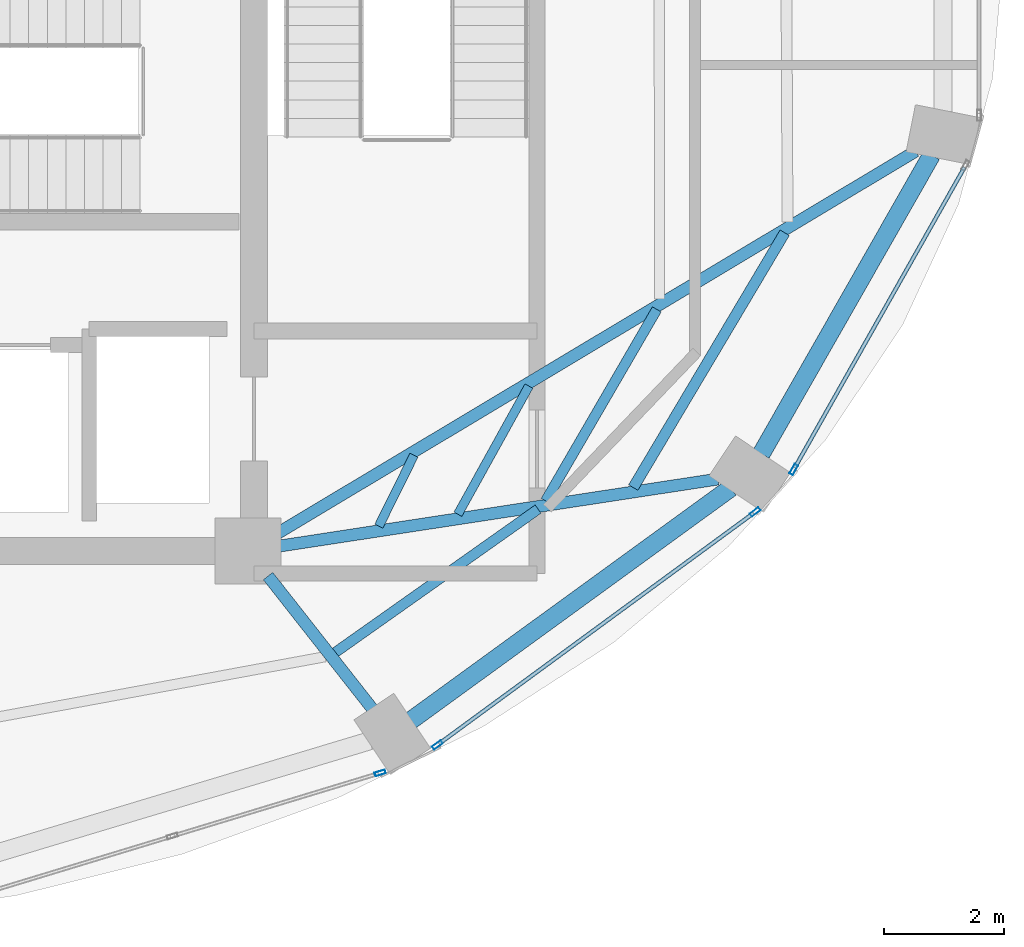
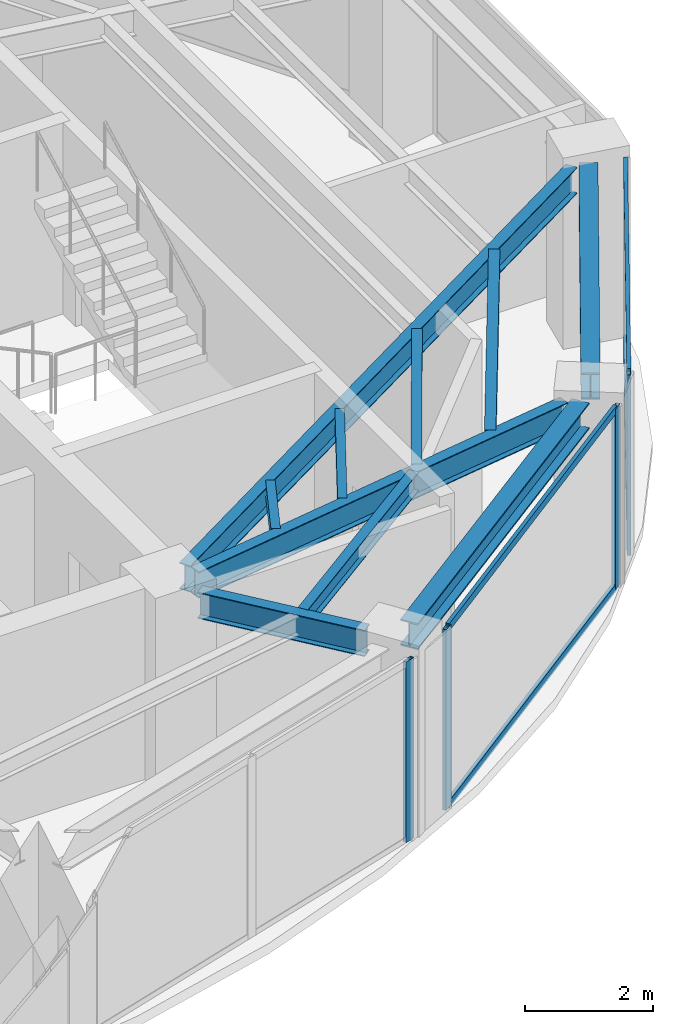
# One storey, part 13 of 22: 10 beams, 8 members, 3 elements without a shape of their own.
"""IFC4 building model written with IfcOpenShell, lengths in metres."""

from ifc_helpers import new_model, si_unit, direction, frame, origin, origin_2d, place, context, subcontext, project, spatial, hollow_rectangle, i_section, extrude, material, layer, layer_set, material_profile, profile_set, type_object, element, aggregate, save


model = new_model("IFC4")

# Units and contexts
model_context = context("Model", 3, precision=1e-05, world=origin(), true_north=direction((0.0, 1.0)))
body_context = subcontext(model_context, "Body", "Model", "MODEL_VIEW")
ifc_project = project(units=[si_unit("LENGTHUNIT", "METRE"), si_unit("AREAUNIT", "SQUARE_METRE"), si_unit("VOLUMEUNIT", "CUBIC_METRE"), si_unit("PLANEANGLEUNIT", "RADIAN"), si_unit("MASSUNIT", "GRAM", prefix="KILO")], contexts=[model_context])

# Site, building, storey
site_placement = place(None, origin())
site = spatial("IfcSite", under=ifc_project, at=site_placement, CompositionType="ELEMENT")
building_placement = place(site_placement, origin())
building = spatial("IfcBuilding", under=site, at=building_placement, Name="Lazwardi Medical Tower", CompositionType="ELEMENT")
storey_placement = place(building_placement, frame((0.0, 0.0, 251.3759765625)))
storey = spatial("IfcBuildingStorey", under=building, at=storey_placement, Name="L65", CompositionType="ELEMENT", Elevation=251.3759765625)

# Beams
ifc_material_1 = material(Name="Steel S355", Category="steel")
ifc_material_profile_1 = material_profile(ifc_material_1, i_section(OverallWidth=0.300048828125, OverallDepth=0.5, WebThickness=0.014404296875, FlangeThickness=0.028076171875, at=origin_2d()), Name="HEB 500")
ifc_profile_set_1 = profile_set([ifc_material_profile_1], Name="Steel S355")
beam_type_1 = type_object("IfcBeamType", Name="BM-RB-Z4", PredefinedType="BEAM", material=ifc_profile_set_1)
beam_1_placement = place(storey_placement, frame((48.31591796875, 17.5751953125, 3.197998046875), z_axis=(0.808889916254, 0.587960120571, 0.0), x_axis=(-0.587960120571, 0.808889916254, 0.0)))
element("IfcBeam", 1, at=beam_1_placement, inside=storey, type_object=beam_type_1, Name="Ring beam RB-05 B02 L65", PredefinedType="BEAM", context=body_context, shape_type="SweptSolid", body=[
    extrude(i_section(OverallWidth=0.300048828125, OverallDepth=0.5, WebThickness=0.014404296875, FlangeThickness=0.028076171875, at=origin_2d()), origin(), (0.0, 0.0, 1.0), 6.587158203125),
])
beam_2_placement = place(storey_placement, frame((54.15283203125, 22.016357421875, 3.197998046875), z_axis=(0.495125273299, 0.868821594886, 0.0), x_axis=(-0.868821594886, 0.495125273299, 0.0)))
element("IfcBeam", 2, at=beam_2_placement, inside=storey, type_object=beam_type_1, Name="Ring beam RB-05 B03 L65", PredefinedType="BEAM", context=body_context, shape_type="SweptSolid", body=[
    extrude(i_section(OverallWidth=0.300048828125, OverallDepth=0.5, WebThickness=0.014404296875, FlangeThickness=0.028076171875, at=origin_2d()), origin(), (0.0, 0.0, 1.0), 5.734130859375),
])
ifc_material_profile_2 = material_profile(ifc_material_1, i_section(OverallWidth=0.199951171875, OverallDepth=0.5, WebThickness=0.01025390625, FlangeThickness=0.01611328125, at=origin_2d()), Name="IPE 500")
ifc_profile_set_2 = profile_set([ifc_material_profile_2], Name="Steel S355")
beam_type_2 = type_object("IfcBeamType", Name="BM-RG-W3", PredefinedType="BEAM", material=ifc_profile_set_2)
beam_3_placement = place(storey_placement, frame((47.669677734375, 17.7666015625, 3.197998046875), z_axis=(-0.617890508382, 0.786264153864, 0.0), x_axis=(-0.786264153864, -0.617890508382, 0.0)))
element("IfcBeam", 3, at=beam_3_placement, inside=storey, type_object=beam_type_2, Name="Radial girder RG-04 R02 L65", PredefinedType="BEAM", context=body_context, shape_type="SweptSolid", body=[
    extrude(i_section(OverallWidth=0.199951171875, OverallDepth=0.5, WebThickness=0.01025390625, FlangeThickness=0.01611328125, at=origin_2d()), origin(), (0.0, 0.0, 1.0), 2.814453125),
])
beam_4_placement = place(storey_placement, frame((53.430908203125, 21.5966796875, 3.197998046875), z_axis=(-0.988522137285, -0.151076087115, 0.0), x_axis=(0.151076087115, -0.988522137285, 0.0)))
element("IfcBeam", 4, at=beam_4_placement, inside=storey, type_object=beam_type_2, Name="Radial girder RG-04 R03 L65", PredefinedType="BEAM", context=body_context, shape_type="SweptSolid", body=[
    extrude(i_section(OverallWidth=0.199951171875, OverallDepth=0.5, WebThickness=0.01025390625, FlangeThickness=0.01611328125, at=origin_2d()), origin(), (0.0, 0.0, 1.0), 7.38671875),
])
beam_5_placement = place(storey_placement, frame((56.72607421875, 27.062255859375, 3.197998046875), z_axis=(-0.857944804603, -0.513741873176, 0.0), x_axis=(0.513741873176, -0.857944804603, 0.0)))
element("IfcBeam", 5, at=beam_5_placement, inside=storey, type_object=beam_type_2, Name="Radial girder RG-04 R04 L65", PredefinedType="BEAM", context=body_context, shape_type="SweptSolid", body=[
    extrude(i_section(OverallWidth=0.199951171875, OverallDepth=0.5, WebThickness=0.01025390625, FlangeThickness=0.01611328125, at=origin_2d()), origin(), (0.0, 0.0, 1.0), 12.43310546875),
])
ifc_material_profile_3 = material_profile(ifc_material_1, i_section(OverallWidth=0.179931640625, OverallDepth=0.39990234375, WebThickness=0.008544921875, FlangeThickness=0.013427734375, at=origin_2d()), Name="IPE 400")
ifc_profile_set_3 = profile_set([ifc_material_profile_3], Name="Steel S355")
beam_type_3 = type_object("IfcBeamType", Name="BM-SJ-01", PredefinedType="JOIST", material=ifc_profile_set_3)
beam_6_placement = place(storey_placement, frame((52.01904296875, 21.455078125, 3.248046875), z_axis=(0.510967866251, 0.859599813668, 0.0), x_axis=(-0.859599813668, 0.510967866251, 0.0)))
element("IfcBeam", 6, at=beam_6_placement, inside=storey, type_object=beam_type_3, Name="Secondary joist SJ-01 R1 B03 L65", PredefinedType="JOIST", context=body_context, shape_type="SweptSolid", body=[
    extrude(i_section(OverallWidth=0.179931640625, OverallDepth=0.39990234375, WebThickness=0.008544921875, FlangeThickness=0.013427734375, at=origin_2d()), origin(), (0.0, 0.0, 1.0), 4.94189453125),
])
ifc_material_profile_4 = material_profile(ifc_material_1, i_section(OverallWidth=0.169921875, OverallDepth=0.360107421875, WebThickness=0.008056640625, FlangeThickness=0.0126953125, at=origin_2d()), Name="IPE 360")
ifc_profile_set_4 = profile_set([ifc_material_profile_4], Name="Steel S355")
beam_type_4 = type_object("IfcBeamType", Name="BM-SJ-02", PredefinedType="JOIST", material=ifc_profile_set_4)
beam_7_placement = place(storey_placement, frame((47.051513671875, 18.70654296875, 3.26806640625), z_axis=(0.816711190406, 0.577046645832, 0.0), x_axis=(-0.577046645832, 0.816711190406, 0.0)))
element("IfcBeam", 7, at=beam_7_placement, inside=storey, type_object=beam_type_4, Name="Secondary joist SJ-02 R2 B02 L65", PredefinedType="JOIST", context=body_context, shape_type="SweptSolid", body=[
    extrude(i_section(OverallWidth=0.169921875, OverallDepth=0.360107421875, WebThickness=0.008056640625, FlangeThickness=0.0126953125, at=origin_2d()), origin(), (0.0, 0.0, 1.0), 4.139892578125),
])
beam_8_placement = place(storey_placement, frame((50.5576171875, 21.232421875, 3.26806640625), z_axis=(0.50218018565, 0.864763008657, 0.0), x_axis=(-0.864763008657, 0.50218018565, 0.0)))
element("IfcBeam", 8, at=beam_8_placement, inside=storey, type_object=beam_type_4, Name="Secondary joist SJ-02 R2 B03 L65", PredefinedType="JOIST", context=body_context, shape_type="SweptSolid", body=[
    extrude(i_section(OverallWidth=0.169921875, OverallDepth=0.360107421875, WebThickness=0.008056640625, FlangeThickness=0.0126953125, at=origin_2d()), origin(), (0.0, 0.0, 1.0), 3.69189453125),
])
ifc_material_profile_5 = material_profile(ifc_material_1, i_section(OverallWidth=0.14990234375, OverallDepth=0.300048828125, WebThickness=0.007080078125, FlangeThickness=0.0107421875, at=origin_2d()), Name="IPE 300")
ifc_profile_set_5 = profile_set([ifc_material_profile_5], Name="Steel S355")
beam_type_5 = type_object("IfcBeamType", Name="BM-SJ-03", PredefinedType="JOIST", material=ifc_profile_set_5)
beam_9_placement = place(storey_placement, frame((49.095703125, 21.01025390625, 3.298095703125), z_axis=(0.484751625998, 0.874651851363, 0.0), x_axis=(-0.874651851363, 0.484751625998, 0.0)))
element("IfcBeam", 9, at=beam_9_placement, inside=storey, type_object=beam_type_5, Name="Secondary joist SJ-03 R3 B03 L65", PredefinedType="JOIST", context=body_context, shape_type="SweptSolid", body=[
    extrude(i_section(OverallWidth=0.14990234375, OverallDepth=0.300048828125, WebThickness=0.007080078125, FlangeThickness=0.0107421875, at=origin_2d()), origin(), (0.0, 0.0, 1.0), 2.442626953125),
])
beam_10_placement = place(storey_placement, frame((47.777587890625, 20.811279296875, 3.298095703125), z_axis=(0.443587297772, 0.89623116954, 0.0), x_axis=(-0.89623116954, 0.443587297772, 0.0)))
element("IfcBeam", 10, at=beam_10_placement, inside=storey, type_object=beam_type_5, Name="Secondary joist SJ-03 R4 B03 L65", PredefinedType="JOIST", context=body_context, shape_type="SweptSolid", body=[
    extrude(i_section(OverallWidth=0.14990234375, OverallDepth=0.300048828125, WebThickness=0.007080078125, FlangeThickness=0.0107421875, at=origin_2d()), origin(), (0.0, 0.0, 1.0), 1.32080078125),
])

# Curtain wall, member
ifc_material_2 = material(Name="Anodised bronze aluminium and solar control glazing", Category="aluminium")
ifc_layer = layer(ifc_material_2, 0.18994140625)
ifc_layer_set = layer_set([ifc_layer], Name="Anodised bronze aluminium and solar control glazing")
curtain_wall_type = type_object("IfcCurtainWallType", Name="CW-SYS-04", PredefinedType="NOTDEFINED", material=ifc_layer_set)
curtain_wall_1_placement = place(storey_placement, origin())
curtain_wall_1 = element("IfcCurtainWall", 11, at=curtain_wall_1_placement, inside=storey, type_object=curtain_wall_type, Name="L65 Unitised bronze curtain wall CW-04", PredefinedType="NOTDEFINED")
ifc_material_3 = material(Name="Anodised bronze aluminium", Category="aluminium")
ifc_material_profile_6 = material_profile(ifc_material_3, hollow_rectangle(XDim=0.06494140625, YDim=0.179931640625, WallThickness=0.00390625, at=origin_2d()), Name="ALU-MULLION 180x65x4")
ifc_profile_set_6 = profile_set([ifc_material_profile_6], Name="Anodised bronze aluminium")
member_type_1 = type_object("IfcMemberType", Name="CW-MUL-03", PredefinedType="MULLION", material=ifc_profile_set_6)
member_1_placement = place(storey_placement, frame((47.7998046875, 16.696533203125, 0.0), z_axis=(0.0, 0.0, 1.0), x_axis=(-0.290581889515, 0.956850126972, 0.0)))
member_1 = element("IfcMember", 12, at=member_1_placement, type_object=member_type_1, Name="CW-04 mullion 3", PredefinedType="MULLION", context=body_context, shape_type="SweptSolid", body=[
    extrude(hollow_rectangle(XDim=0.06494140625, YDim=0.179931640625, WallThickness=0.00390625, at=origin_2d()), origin(), (0.0, 0.0, 1.0), 3.447998046875),
])
aggregate(curtain_wall_1, [member_1])

# Curtain wall, members
curtain_wall_2_placement = place(storey_placement, origin())
curtain_wall_2 = element("IfcCurtainWall", 13, at=curtain_wall_2_placement, inside=storey, type_object=curtain_wall_type, Name="L65 Unitised bronze curtain wall CW-04", PredefinedType="NOTDEFINED")
member_2_placement = place(storey_placement, frame((48.75537109375, 17.1650390625, 0.0), z_axis=(0.0, 0.0, 1.0), x_axis=(-0.591268230971, 0.806474971121, 0.0)))
member_2 = element("IfcMember", 14, at=member_2_placement, type_object=member_type_1, Name="CW-04 mullion 1", PredefinedType="MULLION", context=body_context, shape_type="SweptSolid", body=[
    extrude(hollow_rectangle(XDim=0.06494140625, YDim=0.179931640625, WallThickness=0.00390625, at=origin_2d()), origin(), (0.0, 0.0, 1.0), 3.447998046875),
])
member_3_placement = place(storey_placement, frame((54.052001953125, 21.04833984375, 0.0), z_axis=(0.0, 0.0, 1.0), x_axis=(-0.591268230971, 0.806474971121, 0.0)))
member_3 = element("IfcMember", 15, at=member_3_placement, type_object=member_type_1, Name="CW-04 mullion 2", PredefinedType="MULLION", context=body_context, shape_type="SweptSolid", body=[
    extrude(hollow_rectangle(XDim=0.06494140625, YDim=0.179931640625, WallThickness=0.00390625, at=origin_2d()), origin(), (0.0, 0.0, 1.0), 3.447998046875),
])

# Curtain wall, member
curtain_wall_3_placement = place(storey_placement, origin())
curtain_wall_3 = element("IfcCurtainWall", 16, at=curtain_wall_3_placement, inside=storey, type_object=curtain_wall_type, Name="L65 Unitised bronze curtain wall CW-04", PredefinedType="NOTDEFINED")
member_4_placement = place(storey_placement, frame((54.6943359375, 21.75439453125, 0.0), z_axis=(0.0, 0.0, 1.0), x_axis=(-0.870651436011, 0.491900474661, 0.0)))
member_4 = element("IfcMember", 17, at=member_4_placement, type_object=member_type_1, Name="CW-04 mullion 1", PredefinedType="MULLION", context=body_context, shape_type="SweptSolid", body=[
    extrude(hollow_rectangle(XDim=0.06494140625, YDim=0.179931640625, WallThickness=0.00390625, at=origin_2d()), origin(), (0.0, 0.0, 1.0), 3.447998046875),
])

# Member
ifc_material_profile_7 = material_profile(ifc_material_3, hollow_rectangle(XDim=0.06494140625, YDim=0.139892578125, WallThickness=0.00341796875, at=origin_2d()), Name="ALU-TRANSOM 140x65x3.5")
ifc_profile_set_7 = profile_set([ifc_material_profile_7], Name="Anodised bronze aluminium")
member_type_2 = type_object("IfcMemberType", Name="CW-TRN-03", PredefinedType="USERDEFINED", material=ifc_profile_set_7)
member_5_placement = place(storey_placement, frame((48.781494140625, 17.184326171875, 0.032470703125), z_axis=(0.80648973359, 0.591248094808, 0.0), x_axis=(-0.591248094808, 0.80648973359, 0.0)))
member_5 = element("IfcMember", 18, at=member_5_placement, type_object=member_type_2, Name="CW-04 transom 1.1", ObjectType="TRANSOM", PredefinedType="USERDEFINED", context=body_context, shape_type="SweptSolid", body=[
    extrude(hollow_rectangle(XDim=0.06494140625, YDim=0.139892578125, WallThickness=0.00341796875, at=origin_2d()), origin(), (0.0, 0.0, 1.0), 6.502685546875),
])

member_6_placement = place(storey_placement, frame((48.781494140625, 17.184326171875, 3.41552734375), z_axis=(0.80648973359, 0.591248094808, 0.0), x_axis=(-0.591248094808, 0.80648973359, 0.0)))
member_6 = element("IfcMember", 19, at=member_6_placement, type_object=member_type_2, Name="CW-04 transom 1.2", ObjectType="TRANSOM", PredefinedType="USERDEFINED", context=body_context, shape_type="SweptSolid", body=[
    extrude(hollow_rectangle(XDim=0.06494140625, YDim=0.139892578125, WallThickness=0.00341796875, at=origin_2d()), origin(), (0.0, 0.0, 1.0), 6.502685546875),
])

aggregate(curtain_wall_2, [member_2, member_3, member_5, member_6])

member_7_placement = place(storey_placement, frame((54.71044921875, 21.78271484375, 0.032470703125), z_axis=(0.491879719484, 0.87066316194, 0.0), x_axis=(-0.87066316194, 0.491879719484, 0.0)))
member_7 = element("IfcMember", 20, at=member_7_placement, type_object=member_type_2, Name="CW-04 transom 1.1", ObjectType="TRANSOM", PredefinedType="USERDEFINED", context=body_context, shape_type="SweptSolid", body=[
    extrude(hollow_rectangle(XDim=0.06494140625, YDim=0.139892578125, WallThickness=0.00341796875, at=origin_2d()), origin(), (0.0, 0.0, 1.0), 5.755126953125),
])

member_8_placement = place(storey_placement, frame((54.71044921875, 21.78271484375, 3.41552734375), z_axis=(0.491879719484, 0.87066316194, 0.0), x_axis=(-0.87066316194, 0.491879719484, 0.0)))
member_8 = element("IfcMember", 21, at=member_8_placement, type_object=member_type_2, Name="CW-04 transom 1.2", ObjectType="TRANSOM", PredefinedType="USERDEFINED", context=body_context, shape_type="SweptSolid", body=[
    extrude(hollow_rectangle(XDim=0.06494140625, YDim=0.139892578125, WallThickness=0.00341796875, at=origin_2d()), origin(), (0.0, 0.0, 1.0), 5.755126953125),
])

aggregate(curtain_wall_3, [member_4, member_7, member_8])

save(model, "model.ifc")
